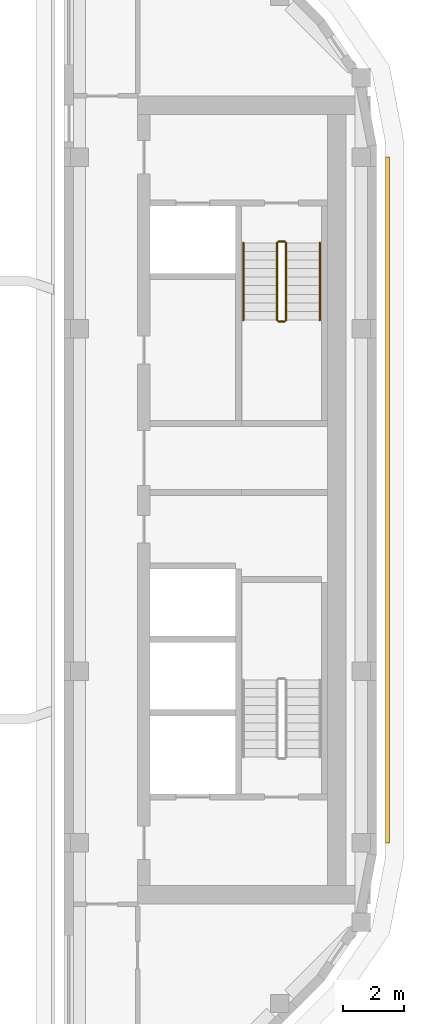
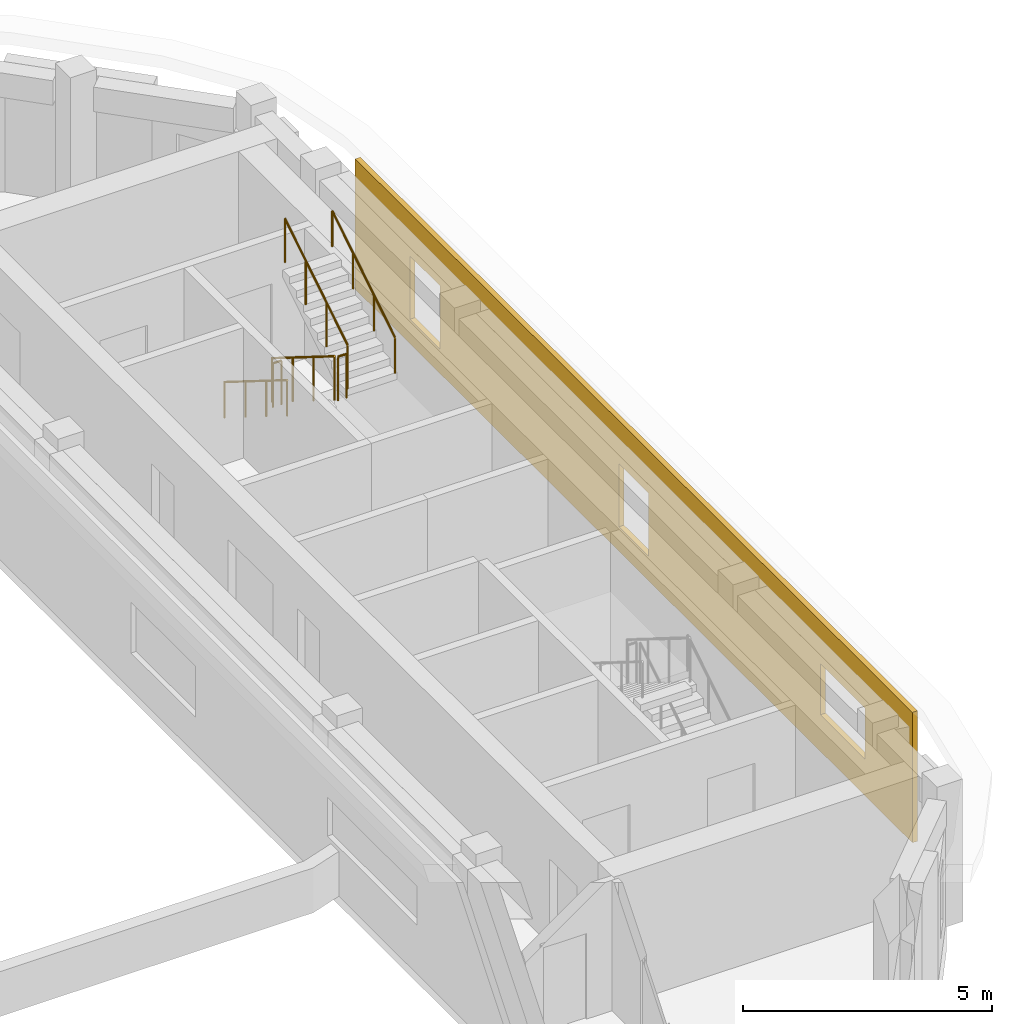
# One storey, part 11 of 14: 6 railings, 1 covering.
"""IFC4 building model written with IfcOpenShell, lengths in metres."""

from ifc_helpers import new_model, si_unit, direction, frame, origin, origin_2d, place, context, subcontext, project, spatial, polyline, circle, outline, extrude, material, layer, layer_set, type_object, element, save


model = new_model("IFC4")

# Units and contexts
model_context = context("Model", 3, precision=1e-05, world=origin(), true_north=direction((0.0, 1.0)))
body_context = subcontext(model_context, "Body", "Model", "MODEL_VIEW")
ifc_project = project(units=[si_unit("LENGTHUNIT", "METRE"), si_unit("AREAUNIT", "SQUARE_METRE"), si_unit("VOLUMEUNIT", "CUBIC_METRE"), si_unit("PLANEANGLEUNIT", "RADIAN"), si_unit("MASSUNIT", "GRAM", prefix="KILO")], contexts=[model_context])

# Site, building, storey
site_placement = place(None, origin())
site = spatial("IfcSite", under=ifc_project, at=site_placement, CompositionType="ELEMENT")
building_placement = place(site_placement, origin())
building = spatial("IfcBuilding", under=site, at=building_placement, Name="Kiln Ring Residences", CompositionType="ELEMENT")
storey_placement = place(building_placement, frame((0.0, 0.0, 299.89990234375)))
storey = spatial("IfcBuildingStorey", under=building, at=storey_placement, Name="L77 Crown", CompositionType="ELEMENT", Elevation=299.89990234375)

# Railings
ifc_material_1 = material(Name="Stainless steel", Category="steel")
railing_type_1 = type_object("IfcRailingType", Name="CORE-STAIR-GUARD", PredefinedType="GUARDRAIL", material=ifc_material_1)
railing_1_placement = place(storey_placement, frame((21.949951171875, 8.39990234375, 0.175048828125)))
element("IfcRailing", 1, at=railing_1_placement, inside=storey, type_object=railing_type_1, Name="L77 Crown E-STN stair guard 1", PredefinedType="GUARDRAIL", context=body_context, shape_type="SweptSolid", body=[
    extrude(circle(Radius=0.02392578125, at=origin_2d()), frame((0.0, 0.0, 1.076171875), z_axis=(0.0, -0.848007534815, 0.529984170421), x_axis=(1.0, 0.0, 0.0)), (0.0, 0.0, 1.0), 2.9716796875),
    extrude(circle(Radius=0.02099609375, at=origin_2d()), origin(), (0.0, 0.0, 1.0), 1.052001953125),
    extrude(circle(Radius=0.02099609375, at=origin_2d()), frame((0.0, -0.840087890625, 0.52490234375)), (0.0, 0.0, 1.0), 1.052001953125),
    extrude(circle(Radius=0.02099609375, at=origin_2d()), frame((0.0, -1.679931640625, 1.050048828125)), (0.0, 0.0, 1.0), 1.052001953125),
    extrude(circle(Radius=0.02099609375, at=origin_2d()), frame((0.0, -2.52001953125, 1.574951171875)), (0.0, 0.0, 1.0), 1.052001953125),
])
railing_2_placement = place(storey_placement, frame((22.0, 5.830078125, 1.75)))
element("IfcRailing", 2, at=railing_2_placement, inside=storey, type_object=railing_type_1, Name="L77 Crown E-STN stair guard 2", PredefinedType="GUARDRAIL", context=body_context, shape_type="SweptSolid", body=[
    extrude(circle(Radius=0.02392578125, at=origin_2d()), frame((0.0, 0.0, 1.076171875), z_axis=(1.0, 0.0, 0.0), x_axis=(0.0, 1.0, 0.0)), (0.0, 0.0, 1.0), 0.199951171875),
    extrude(circle(Radius=0.02099609375, at=origin_2d()), origin(), (0.0, 0.0, 1.0), 1.052001953125),
    extrude(circle(Radius=0.02099609375, at=origin_2d()), frame((0.199951171875, 0.0, 0.0)), (0.0, 0.0, 1.0), 1.052001953125),
])
railing_3_placement = place(storey_placement, frame((22.25, 5.8798828125, 1.925048828125)))
element("IfcRailing", 3, at=railing_3_placement, inside=storey, type_object=railing_type_1, Name="L77 Crown E-STN stair guard 3", PredefinedType="GUARDRAIL", context=body_context, shape_type="SweptSolid", body=[
    extrude(circle(Radius=0.02392578125, at=origin_2d()), frame((0.0, 0.0, 1.076171875), z_axis=(0.0, 0.848007534815, 0.529984170421), x_axis=(-1.0, 0.0, 0.0)), (0.0, 0.0, 1.0), 2.9716796875),
    extrude(circle(Radius=0.02099609375, at=origin_2d()), origin(), (0.0, 0.0, 1.0), 1.052001953125),
    extrude(circle(Radius=0.02099609375, at=origin_2d()), frame((0.0, 0.840087890625, 0.52490234375)), (0.0, 0.0, 1.0), 1.052001953125),
    extrude(circle(Radius=0.02099609375, at=origin_2d()), frame((0.0, 1.679931640625, 1.050048828125)), (0.0, 0.0, 1.0), 1.052001953125),
    extrude(circle(Radius=0.02099609375, at=origin_2d()), frame((0.0, 2.52001953125, 1.574951171875)), (0.0, 0.0, 1.0), 1.052001953125),
])
railing_4_placement = place(storey_placement, frame((22.0, 8.449951171875, 0.0)))
element("IfcRailing", 4, at=railing_4_placement, inside=storey, type_object=railing_type_1, Name="L77 Crown E-STN stair guard 4", PredefinedType="GUARDRAIL", context=body_context, shape_type="SweptSolid", body=[
    extrude(circle(Radius=0.02392578125, at=origin_2d()), frame((0.0, 0.0, 1.076171875), z_axis=(1.0, 0.0, 0.0), x_axis=(0.0, 1.0, 0.0)), (0.0, 0.0, 1.0), 0.199951171875),
    extrude(circle(Radius=0.02099609375, at=origin_2d()), origin(), (0.0, 0.0, 1.0), 1.052001953125),
    extrude(circle(Radius=0.02099609375, at=origin_2d()), frame((0.199951171875, 0.0, 0.0)), (0.0, 0.0, 1.0), 1.052001953125),
])
ifc_material_2 = material(Name="Stainless steel", Category="steel")
railing_type_2 = type_object("IfcRailingType", Name="CORE-STAIR-HANDRAIL", PredefinedType="HANDRAIL", material=ifc_material_2)
railing_5_placement = place(storey_placement, frame((20.85009765625, 8.39990234375, 0.175048828125)))
element("IfcRailing", 5, at=railing_5_placement, inside=storey, type_object=railing_type_2, Name="L77 Crown E-STN stair handrail 1", PredefinedType="HANDRAIL", context=body_context, shape_type="SweptSolid", body=[
    extrude(circle(Radius=0.02392578125, at=origin_2d()), frame((0.0, 0.0, 0.8759765625), z_axis=(0.0, -0.848007534815, 0.529984170421), x_axis=(1.0, 0.0, 0.0)), (0.0, 0.0, 1.0), 2.9716796875),
    extrude(circle(Radius=0.02099609375, at=origin_2d()), origin(), (0.0, 0.0, 1.0), 0.851806640625),
    extrude(circle(Radius=0.02099609375, at=origin_2d()), frame((0.0, -0.840087890625, 0.52490234375)), (0.0, 0.0, 1.0), 0.851806640625),
    extrude(circle(Radius=0.02099609375, at=origin_2d()), frame((0.0, -1.679931640625, 1.050048828125)), (0.0, 0.0, 1.0), 0.851806640625),
    extrude(circle(Radius=0.02099609375, at=origin_2d()), frame((0.0, -2.52001953125, 1.574951171875)), (0.0, 0.0, 1.0), 0.851806640625),
])
railing_6_placement = place(storey_placement, frame((23.35009765625, 5.8798828125, 1.925048828125)))
element("IfcRailing", 6, at=railing_6_placement, inside=storey, type_object=railing_type_2, Name="L77 Crown E-STN stair handrail 2", PredefinedType="HANDRAIL", context=body_context, shape_type="SweptSolid", body=[
    extrude(circle(Radius=0.02392578125, at=origin_2d()), frame((0.0, 0.0, 0.8759765625), z_axis=(0.0, 0.848007534815, 0.529984170421), x_axis=(-1.0, 0.0, 0.0)), (0.0, 0.0, 1.0), 2.9716796875),
    extrude(circle(Radius=0.02099609375, at=origin_2d()), origin(), (0.0, 0.0, 1.0), 0.851806640625),
    extrude(circle(Radius=0.02099609375, at=origin_2d()), frame((0.0, 0.840087890625, 0.52490234375)), (0.0, 0.0, 1.0), 0.851806640625),
    extrude(circle(Radius=0.02099609375, at=origin_2d()), frame((0.0, 1.679931640625, 1.050048828125)), (0.0, 0.0, 1.0), 0.851806640625),
    extrude(circle(Radius=0.02099609375, at=origin_2d()), frame((0.0, 2.52001953125, 1.574951171875)), (0.0, 0.0, 1.0), 0.851806640625),
])

# Covering
ifc_material_3 = material(Name="Brick masonry, dark clay brick", Category="masonry")
ifc_layer = layer(ifc_material_3, 0.1201171875)
ifc_layer_set = layer_set([ifc_layer], Name="RAINSCREEN PANEL 120")
covering_type = type_object("IfcCoveringType", Name="RAINSCREEN PANEL 120", PredefinedType="CLADDING", material=ifc_layer_set)
covering_placement = place(storey_placement, frame((25.56005859375, -11.199951171875, 0.0), z_axis=(0.0, 0.0, 1.0), x_axis=(0.0, 1.0, 0.0)))
element("IfcCovering", 7, at=covering_placement, inside=storey, type_object=covering_type, Name="RAINSCREEN L77 Crown", PredefinedType="CLADDING", context=body_context, shape_type="SweptSolid", body=[
    extrude(outline(polyline([(0.0, 0.0), (22.39990234375, 0.0), (22.39990234375, 3.2001953125), (0.0, 3.2001953125), (0.0, 0.0)]), holes=[polyline([(11.800048828125, 2.150146484375), (10.60009765625, 2.150146484375), (10.60009765625, 0.60009765625), (11.800048828125, 0.60009765625), (11.800048828125, 2.150146484375)]), polyline([(20.199951171875, 0.60009765625), (20.199951171875, 2.150146484375), (19.0, 2.150146484375), (19.0, 0.60009765625), (20.199951171875, 0.60009765625)]), polyline([(3.699951171875, 0.900146484375), (3.699951171875, 2.150146484375), (1.89990234375, 2.150146484375), (1.89990234375, 0.900146484375), (3.699951171875, 0.900146484375)])]), frame((0.0, 0.06005859375, 0.0), z_axis=(0.0, -1.0, 0.0), x_axis=(1.0, 0.0, 0.0)), (0.0, 0.0, 1.0), 0.1201171875),
])

save(model, "model.ifc")
